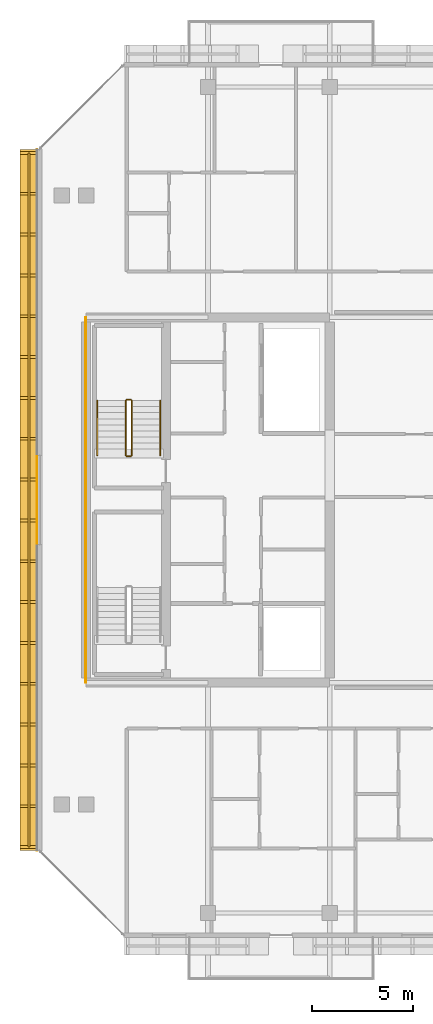
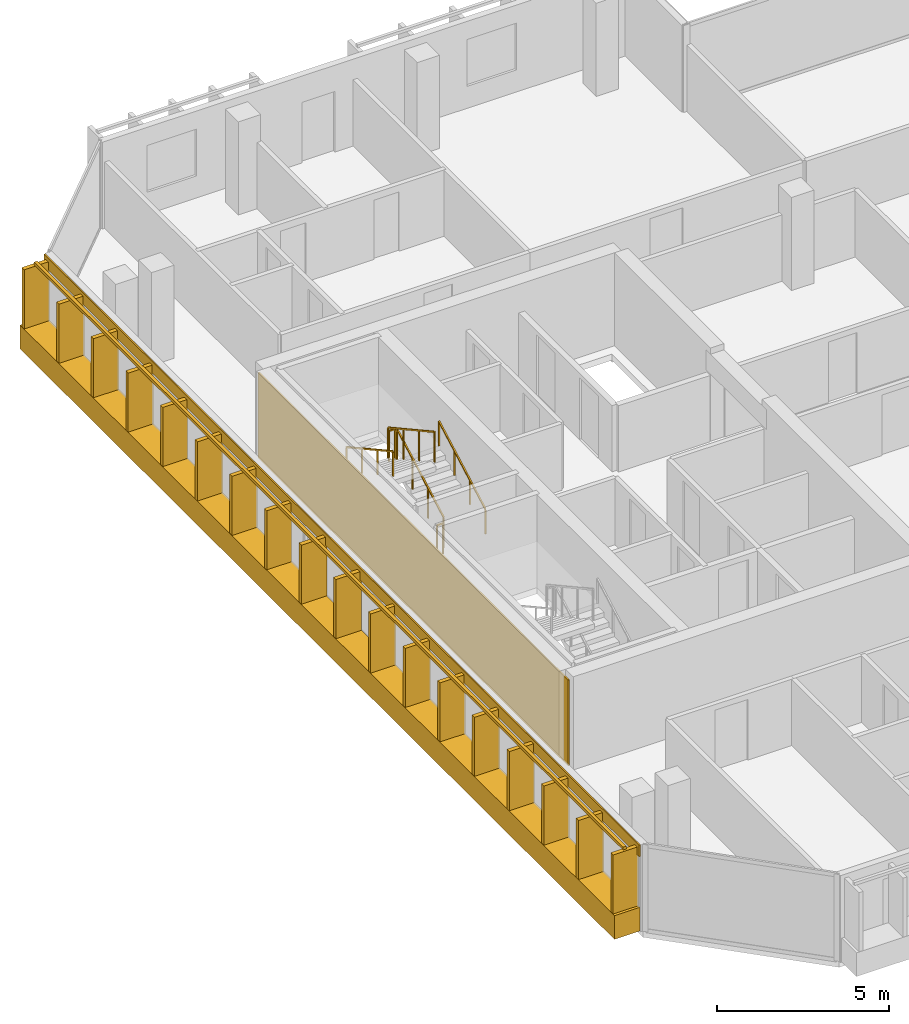
# One storey, part 22 of 25: 7 railings, 3 coverings.
"""IFC4 building model written with IfcOpenShell, lengths in metres."""

from ifc_helpers import new_model, si_unit, direction, frame, origin, origin_2d, place, context, subcontext, project, spatial, rectangle, extrude, material, layer, layer_set, type_object, element, save


model = new_model("IFC4")

# Units and contexts
model_context = context("Model", 3, precision=1e-05, world=origin(), true_north=direction((0.0, 1.0)))
body_context = subcontext(model_context, "Body", "Model", "MODEL_VIEW")
ifc_project = project(units=[si_unit("LENGTHUNIT", "METRE"), si_unit("AREAUNIT", "SQUARE_METRE"), si_unit("VOLUMEUNIT", "CUBIC_METRE"), si_unit("PLANEANGLEUNIT", "RADIAN"), si_unit("MASSUNIT", "GRAM", prefix="KILO")], contexts=[model_context])

# Site, building, storey
site_placement = place(None, origin())
site = spatial("IfcSite", under=ifc_project, at=site_placement, CompositionType="ELEMENT")
building_placement = place(site_placement, origin())
building = spatial("IfcBuilding", under=site, at=building_placement, Name="Tanjung Sevakor Pilgrim Tower", CompositionType="ELEMENT")
storey_placement = place(building_placement, frame((0.0, 0.0, 204.929931640625)))
storey = spatial("IfcBuildingStorey", under=building, at=storey_placement, Name="L57", CompositionType="ELEMENT", Elevation=204.929931640625)

# Coverings
ifc_material_1 = material(Name="Reconstructed Limestone Cladding", Category="masonry")
ifc_layer = layer(ifc_material_1, 0.044921875)
ifc_layer_set = layer_set([ifc_layer], Name="COV-CLAD-LIMESTONE")
covering_type = type_object("IfcCoveringType", Name="COV-CLAD-LIMESTONE", PredefinedType="CLADDING", material=ifc_layer_set)
covering_1_placement = place(storey_placement, frame((21.169921875, 33.60009765625, 0.01025390625), z_axis=(0.0, 0.0, 1.0), x_axis=(0.0, -1.0, 0.0)))
element("IfcCovering", 1, at=covering_1_placement, inside=storey, type_object=covering_type, Name="L57 Warm Limestone Sill Spandrel EW-L57-MAIN-15-1", PredefinedType="CLADDING", context=body_context, shape_type="SweptSolid", body=[
    extrude(rectangle(XDim=34.52880859375, YDim=0.860107421875, at=origin_2d()), origin(), (0.0, 0.0, 1.0), 0.840087890625),
])
covering_2_placement = place(storey_placement, frame((21.577392578125, 33.60009765625, 2.66015625), z_axis=(0.0, 0.0, 1.0), x_axis=(0.0, -1.0, 0.0)))
element("IfcCovering", 2, at=covering_2_placement, inside=storey, type_object=covering_type, Name="L57 Warm Limestone Cornice Spandrel EW-L57-MAIN-15", PredefinedType="CLADDING", context=body_context, shape_type="SweptSolid", body=[
    extrude(rectangle(XDim=34.56884765625, YDim=0.044921875, at=origin_2d()), origin(), (0.0, 0.0, 1.0), 0.409912109375),
])
covering_3_placement = place(storey_placement, frame((23.9775390625, 33.60009765625, 0.02001953125), z_axis=(0.0, 0.0, 1.0), x_axis=(1.0, 0.0, 0.0)))
element("IfcCovering", 3, at=covering_3_placement, inside=storey, type_object=covering_type, Name="L57 Expressed Core Warm Limestone Cladding W", PredefinedType="CLADDING", context=body_context, shape_type="SweptSolid", body=[
    extrude(rectangle(XDim=0.044921875, YDim=18.0, at=origin_2d()), origin(), (0.0, 0.0, 1.0), 3.0400390625),
])

# Railings
ifc_material_2 = material(Name="Anodised Bronze Aluminium 6063-T6", Category="aluminium")
railing_type_1 = type_object("IfcRailingType", Name="RL-FIN-SCREEN", PredefinedType="BALUSTRADE", material=ifc_material_2)
railing_1_placement = place(storey_placement, frame((21.175048828125, 50.704345703125, 0.840087890625)))
element("IfcRailing", 4, at=railing_1_placement, inside=storey, type_object=railing_type_1, Name="L57 Vertical Bronze-Gold Solar Fin Screen FNEND-EW-L57-MAIN-15-1", PredefinedType="BALUSTRADE", context=body_context, shape_type="SweptSolid", body=[
    extrude(rectangle(XDim=0.105, YDim=0.105), frame((0.0, 0.0, 2.157470703125), z_axis=(0.0, -1.0, 0.0), x_axis=(1.0, 0.0, 0.0)), (0.0, 0.0, 1.0), 34.208740234375),
    extrude(rectangle(XDim=0.85, YDim=0.14), origin(), (0.0, 0.0, 1.0), 2.10498046875),
    extrude(rectangle(XDim=0.85, YDim=0.14), frame((0.0, -2.01220703125, 0.0)), (0.0, 0.0, 1.0), 2.10498046875),
    extrude(rectangle(XDim=0.85, YDim=0.14), frame((0.0, -4.024658203125, 0.0)), (0.0, 0.0, 1.0), 2.10498046875),
    extrude(rectangle(XDim=0.85, YDim=0.14), frame((0.0, -6.036865234375, 0.0)), (0.0, 0.0, 1.0), 2.10498046875),
    extrude(rectangle(XDim=0.85, YDim=0.14), frame((0.0, -8.049072265625, 0.0)), (0.0, 0.0, 1.0), 2.10498046875),
    extrude(rectangle(XDim=0.85, YDim=0.14), frame((0.0, -10.061279296875, 0.0)), (0.0, 0.0, 1.0), 2.10498046875),
    extrude(rectangle(XDim=0.85, YDim=0.14), frame((0.0, -12.07373046875, 0.0)), (0.0, 0.0, 1.0), 2.10498046875),
    extrude(rectangle(XDim=0.85, YDim=0.14), frame((0.0, -14.0859375, 0.0)), (0.0, 0.0, 1.0), 2.10498046875),
    extrude(rectangle(XDim=0.85, YDim=0.14), frame((0.0, -16.09814453125, 0.0)), (0.0, 0.0, 1.0), 2.10498046875),
    extrude(rectangle(XDim=0.85, YDim=0.14), frame((0.0, -18.110595703125, 0.0)), (0.0, 0.0, 1.0), 2.10498046875),
    extrude(rectangle(XDim=0.85, YDim=0.14), frame((0.0, -20.122802734375, 0.0)), (0.0, 0.0, 1.0), 2.10498046875),
    extrude(rectangle(XDim=0.85, YDim=0.14), frame((0.0, -22.135009765625, 0.0)), (0.0, 0.0, 1.0), 2.10498046875),
    extrude(rectangle(XDim=0.85, YDim=0.14), frame((0.0, -24.1474609375, 0.0)), (0.0, 0.0, 1.0), 2.10498046875),
    extrude(rectangle(XDim=0.85, YDim=0.14), frame((0.0, -26.15966796875, 0.0)), (0.0, 0.0, 1.0), 2.10498046875),
    extrude(rectangle(XDim=0.85, YDim=0.14), frame((0.0, -28.171875, 0.0)), (0.0, 0.0, 1.0), 2.10498046875),
    extrude(rectangle(XDim=0.85, YDim=0.14), frame((0.0, -30.18408203125, 0.0)), (0.0, 0.0, 1.0), 2.10498046875),
    extrude(rectangle(XDim=0.85, YDim=0.14), frame((0.0, -32.196533203125, 0.0)), (0.0, 0.0, 1.0), 2.10498046875),
    extrude(rectangle(XDim=0.85, YDim=0.14), frame((0.0, -34.208740234375, 0.0)), (0.0, 0.0, 1.0), 2.10498046875),
])
ifc_material_3 = material(Name="Steel S355J2", Category="steel")
railing_type_2 = type_object("IfcRailingType", Name="RL-STAIR-GUARD", PredefinedType="GUARDRAIL", material=ifc_material_3)
railing_2_placement = place(storey_placement, frame((26.25, 35.800048828125, 0.1650390625)))
element("IfcRailing", 5, at=railing_2_placement, inside=storey, type_object=railing_type_2, Name="L57 TS-W2 stair guard 1", PredefinedType="GUARDRAIL", context=body_context, shape_type="SweptSolid", body=[
    extrude(rectangle(XDim=0.0479, YDim=0.0479), frame((0.0, 0.0, 1.076171875), z_axis=(0.0, 0.876197507361, 0.481952205197), x_axis=(-1.0, 0.0, 0.0)), (0.0, 0.0, 1.0), 3.08154296875),
    extrude(rectangle(XDim=0.042, YDim=0.042), origin(), (0.0, 0.0, 1.0), 1.052001953125),
    extrude(rectangle(XDim=0.042, YDim=0.042), frame((0.0, 0.89990234375, 0.4951171875)), (0.0, 0.0, 1.0), 1.052001953125),
    extrude(rectangle(XDim=0.042, YDim=0.042), frame((0.0, 1.800048828125, 0.989990234375)), (0.0, 0.0, 1.0), 1.052001953125),
    extrude(rectangle(XDim=0.042, YDim=0.042), frame((0.0, 2.699951171875, 1.485107421875)), (0.0, 0.0, 1.0), 1.052001953125),
])
railing_3_placement = place(storey_placement, frame((26.199951171875, 38.550048828125, 1.650146484375)))
element("IfcRailing", 6, at=railing_3_placement, inside=storey, type_object=railing_type_2, Name="L57 TS-W2 stair guard 2", PredefinedType="GUARDRAIL", context=body_context, shape_type="SweptSolid", body=[
    extrude(rectangle(XDim=0.0479, YDim=0.0479), frame((0.0, 0.0, 1.076171875), z_axis=(-1.0, 0.0, 0.0), x_axis=(0.0, -1.0, 0.0)), (0.0, 0.0, 1.0), 0.199951171875),
    extrude(rectangle(XDim=0.042, YDim=0.042), origin(), (0.0, 0.0, 1.0), 1.052001953125),
    extrude(rectangle(XDim=0.042, YDim=0.042), frame((-0.199951171875, 0.0, 0.0)), (0.0, 0.0, 1.0), 1.052001953125),
])
railing_4_placement = place(storey_placement, frame((25.949951171875, 38.5, 1.815185546875)))
element("IfcRailing", 7, at=railing_4_placement, inside=storey, type_object=railing_type_2, Name="L57 TS-W2 stair guard 3", PredefinedType="GUARDRAIL", context=body_context, shape_type="SweptSolid", body=[
    extrude(rectangle(XDim=0.0479, YDim=0.0479), frame((0.0, 0.0, 1.076171875), z_axis=(0.0, -0.876230963923, 0.481891375584), x_axis=(1.0, 0.0, 0.0)), (0.0, 0.0, 1.0), 3.081298828125),
    extrude(rectangle(XDim=0.042, YDim=0.042), origin(), (0.0, 0.0, 1.0), 1.052001953125),
    extrude(rectangle(XDim=0.042, YDim=0.042), frame((0.0, -0.89990234375, 0.494873046875)), (0.0, 0.0, 1.0), 1.052001953125),
    extrude(rectangle(XDim=0.042, YDim=0.042), frame((0.0, -1.800048828125, 0.989990234375)), (0.0, 0.0, 1.0), 1.052001953125),
    extrude(rectangle(XDim=0.042, YDim=0.042), frame((0.0, -2.699951171875, 1.48486328125)), (0.0, 0.0, 1.0), 1.052001953125),
])
railing_5_placement = place(storey_placement, frame((26.199951171875, 35.75, 0.0)))
element("IfcRailing", 8, at=railing_5_placement, inside=storey, type_object=railing_type_2, Name="L57 TS-W2 stair guard 4", PredefinedType="GUARDRAIL", context=body_context, shape_type="SweptSolid", body=[
    extrude(rectangle(XDim=0.0479, YDim=0.0479), frame((0.0, 0.0, 1.076171875), z_axis=(-1.0, 0.0, 0.0), x_axis=(0.0, -1.0, 0.0)), (0.0, 0.0, 1.0), 0.199951171875),
    extrude(rectangle(XDim=0.042, YDim=0.042), origin(), (0.0, 0.0, 1.0), 1.052001953125),
    extrude(rectangle(XDim=0.042, YDim=0.042), frame((-0.199951171875, 0.0, 0.0)), (0.0, 0.0, 1.0), 1.052001953125),
])
ifc_material_4 = material(Name="Steel S355J2", Category="steel")
railing_type_3 = type_object("IfcRailingType", Name="RL-STAIR-HAND", PredefinedType="HANDRAIL", material=ifc_material_4)
railing_6_placement = place(storey_placement, frame((27.64990234375, 35.800048828125, 0.1650390625)))
element("IfcRailing", 9, at=railing_6_placement, inside=storey, type_object=railing_type_3, Name="L57 TS-W2 stair handrail 1", PredefinedType="HANDRAIL", context=body_context, shape_type="SweptSolid", body=[
    extrude(rectangle(XDim=0.0479, YDim=0.0479), frame((0.0, 0.0, 0.8759765625), z_axis=(0.0, 0.876197507361, 0.481952205197), x_axis=(-1.0, 0.0, 0.0)), (0.0, 0.0, 1.0), 3.08154296875),
    extrude(rectangle(XDim=0.042, YDim=0.042), origin(), (0.0, 0.0, 1.0), 0.851806640625),
    extrude(rectangle(XDim=0.042, YDim=0.042), frame((0.0, 0.89990234375, 0.4951171875)), (0.0, 0.0, 1.0), 0.851806640625),
    extrude(rectangle(XDim=0.042, YDim=0.042), frame((0.0, 1.800048828125, 0.989990234375)), (0.0, 0.0, 1.0), 0.851806640625),
    extrude(rectangle(XDim=0.042, YDim=0.042), frame((0.0, 2.699951171875, 1.485107421875)), (0.0, 0.0, 1.0), 0.851806640625),
])
railing_7_placement = place(storey_placement, frame((24.550048828125, 38.5, 1.815185546875)))
element("IfcRailing", 10, at=railing_7_placement, inside=storey, type_object=railing_type_3, Name="L57 TS-W2 stair handrail 2", PredefinedType="HANDRAIL", context=body_context, shape_type="SweptSolid", body=[
    extrude(rectangle(XDim=0.0479, YDim=0.0479), frame((0.0, 0.0, 0.8759765625), z_axis=(0.0, -0.876230963923, 0.481891375584), x_axis=(1.0, 0.0, 0.0)), (0.0, 0.0, 1.0), 3.081298828125),
    extrude(rectangle(XDim=0.042, YDim=0.042), origin(), (0.0, 0.0, 1.0), 0.851806640625),
    extrude(rectangle(XDim=0.042, YDim=0.042), frame((0.0, -0.89990234375, 0.494873046875)), (0.0, 0.0, 1.0), 0.851806640625),
    extrude(rectangle(XDim=0.042, YDim=0.042), frame((0.0, -1.800048828125, 0.989990234375)), (0.0, 0.0, 1.0), 0.851806640625),
    extrude(rectangle(XDim=0.042, YDim=0.042), frame((0.0, -2.699951171875, 1.48486328125)), (0.0, 0.0, 1.0), 0.851806640625),
])

save(model, "model.ifc")
